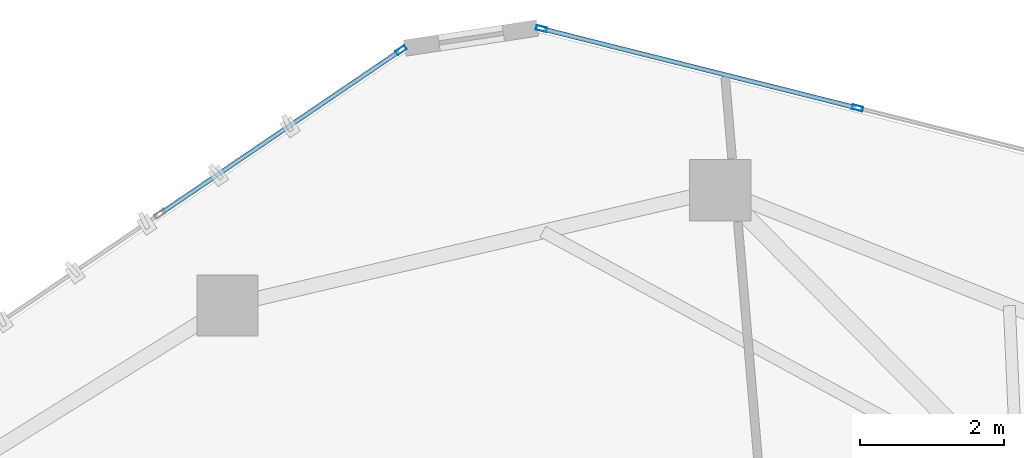
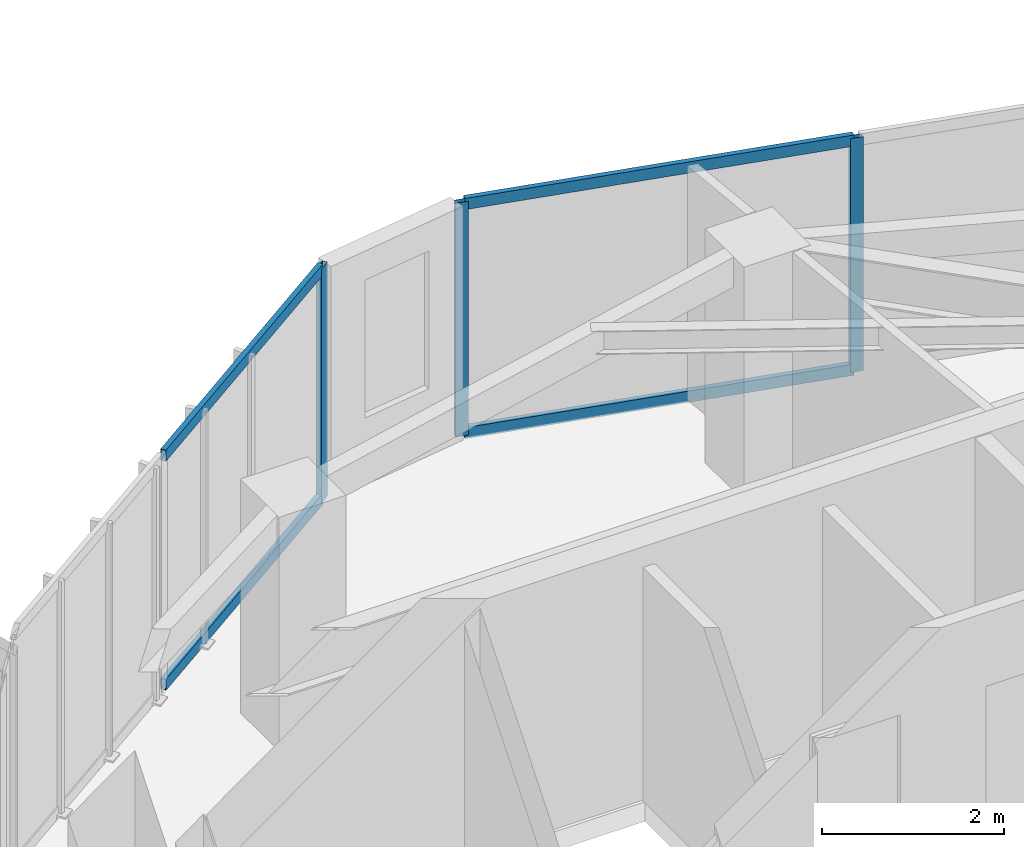
# One storey, part 15 of 20: 7 members, 2 elements without a shape of their own.
"""IFC4 building model written with IfcOpenShell, lengths in metres."""

from ifc_helpers import new_model, si_unit, direction, frame, origin, origin_2d, place, context, subcontext, project, spatial, hollow_rectangle, extrude, source, transform, mapped, material, layer, layer_set, material_profile, profile_set, type_object, type_shapes, element, aggregate, save


model = new_model("IFC4")

# Units and contexts
model_context = context("Model", 3, precision=1e-05, world=origin(), true_north=direction((0.0, 1.0)))
body_context = subcontext(model_context, "Body", "Model", "MODEL_VIEW")
ifc_project = project(units=[si_unit("LENGTHUNIT", "METRE"), si_unit("AREAUNIT", "SQUARE_METRE"), si_unit("VOLUMEUNIT", "CUBIC_METRE"), si_unit("PLANEANGLEUNIT", "RADIAN"), si_unit("MASSUNIT", "GRAM", prefix="KILO")], contexts=[model_context])

# Site, building, storey
site_placement = place(None, origin())
site = spatial("IfcSite", under=ifc_project, at=site_placement, CompositionType="ELEMENT")
building_placement = place(site_placement, origin())
building = spatial("IfcBuilding", under=site, at=building_placement, Name="Talar Marvaseh", CompositionType="ELEMENT")
storey_placement = place(building_placement, frame((0.0, 0.0, 244.199951171875)))
storey = spatial("IfcBuildingStorey", under=building, at=storey_placement, Name="L64", CompositionType="ELEMENT", Elevation=244.199951171875)

# Curtain wall, members
ifc_material = material(Name="Architectural Aluminium", Category="aluminium")
ifc_layer = layer(ifc_material, 0.179931640625)
ifc_layer_set = layer_set([ifc_layer], Name="Architectural Aluminium")
curtain_wall_type = type_object("IfcCurtainWallType", Name="Unitised High-Wind Sky Curtain Wall Z4", PredefinedType="NOTDEFINED", material=ifc_layer_set)
curtain_wall_1_placement = place(storey_placement, origin())
curtain_wall_1 = element("IfcCurtainWall", 1, at=curtain_wall_1_placement, inside=storey, type_object=curtain_wall_type, Name="L64 Unitised High-Wind Sky Curtain Wall Z4", PredefinedType="NOTDEFINED")
ifc_material_profile_1 = material_profile(ifc_material, hollow_rectangle(XDim=0.06494140625, YDim=0.14990234375, WallThickness=0.00390625, at=origin_2d()), Name="RHS150x65x4")
ifc_profile_set_1 = profile_set([ifc_material_profile_1], Name="Architectural Aluminium")
member_type_1 = type_object("IfcMemberType", Name="Unitised Curtain Wall Slim Transom RHS150x65x4", PredefinedType="USERDEFINED", material=ifc_profile_set_1)
shared_shape_1 = source(origin(), body_context, "Body", "SweptSolid", [
    extrude(hollow_rectangle(XDim=0.06494140625, YDim=0.14990234375, WallThickness=0.00390625, at=origin_2d()), origin(), (0.0, 0.0, 1.0), 4.447509765625),
])
member_1_placement = place(storey_placement, frame((26.74267578125, 43.278076171875, 0.032470703125), z_axis=(0.969883620762, -0.243568803788, 0.0), x_axis=(0.243568803788, 0.969883620762, 0.0)))
member_1 = element("IfcMember", 2, at=member_1_placement, type_object=member_type_1, Name="CW-Z4 transom 1.1", ObjectType="TRANSOM", PredefinedType="USERDEFINED", context=body_context, shape_type="MappedRepresentation", body=[
    mapped(shared_shape_1, transform((0.0, 0.0, 0.0), x_axis=(1.0, 0.0, 0.0), y_axis=(0.0, 1.0, 0.0), z_axis=(0.0, 0.0, 1.0), scale=1.0)),
])
member_2_placement = place(storey_placement, frame((26.74267578125, 43.278076171875, 3.107666015625), z_axis=(0.969883620762, -0.243568803788, 0.0), x_axis=(0.243568803788, 0.969883620762, 0.0)))
member_2 = element("IfcMember", 3, at=member_2_placement, type_object=member_type_1, Name="CW-Z4 transom 1.2", ObjectType="TRANSOM", PredefinedType="USERDEFINED", context=body_context, shape_type="MappedRepresentation", body=[
    mapped(shared_shape_1, transform((0.0, 0.0, 0.0), x_axis=(1.0, 0.0, 0.0), y_axis=(0.0, 1.0, 0.0), z_axis=(0.0, 0.0, 1.0), scale=1.0)),
])

curtain_wall_2_placement = place(storey_placement, origin())
curtain_wall_2 = element("IfcCurtainWall", 4, at=curtain_wall_2_placement, inside=storey, type_object=curtain_wall_type, Name="L64 Unitised High-Wind Sky Curtain Wall Z4", PredefinedType="NOTDEFINED")
shared_shape_2 = source(origin(), body_context, "Body", "SweptSolid", [
    extrude(hollow_rectangle(XDim=0.06494140625, YDim=0.14990234375, WallThickness=0.00390625, at=origin_2d()), origin(), (0.0, 0.0, 1.0), 3.97119140625),
])
type_shapes(member_type_1, [shared_shape_1, shared_shape_2])
member_3_placement = place(storey_placement, frame((21.456787109375, 40.739501953125, 0.032470703125), z_axis=(0.827271682121, 0.561802068313, 0.0), x_axis=(-0.561802068313, 0.827271682121, 0.0)))
member_3 = element("IfcMember", 5, at=member_3_placement, type_object=member_type_1, Name="CW-Z4 transom 3.1", ObjectType="TRANSOM", PredefinedType="USERDEFINED", context=body_context, shape_type="MappedRepresentation", body=[
    mapped(shared_shape_2, transform((0.0, 0.0, 0.0), x_axis=(1.0, 0.0, 0.0), y_axis=(0.0, 1.0, 0.0), z_axis=(0.0, 0.0, 1.0), scale=1.0)),
])
member_4_placement = place(storey_placement, frame((21.456787109375, 40.739501953125, 3.107666015625), z_axis=(0.827271682121, 0.561802068313, 0.0), x_axis=(-0.561802068313, 0.827271682121, 0.0)))
member_4 = element("IfcMember", 6, at=member_4_placement, type_object=member_type_1, Name="CW-Z4 transom 3.2", ObjectType="TRANSOM", PredefinedType="USERDEFINED", context=body_context, shape_type="MappedRepresentation", body=[
    mapped(shared_shape_2, transform((0.0, 0.0, 0.0), x_axis=(1.0, 0.0, 0.0), y_axis=(0.0, 1.0, 0.0), z_axis=(0.0, 0.0, 1.0), scale=1.0)),
])
ifc_material_profile_2 = material_profile(ifc_material, hollow_rectangle(XDim=0.06494140625, YDim=0.14990234375, WallThickness=0.00390625, at=origin_2d()), Name="RHS150x65x4")
ifc_profile_set_2 = profile_set([ifc_material_profile_2], Name="Architectural Aluminium")
member_type_2 = type_object("IfcMemberType", Name="Unitised Curtain Wall Slim Mullion RHS150x65x4", PredefinedType="MULLION", material=ifc_profile_set_2)
shared_shape_3 = source(origin(), body_context, "Body", "SweptSolid", [
    extrude(hollow_rectangle(XDim=0.06494140625, YDim=0.14990234375, WallThickness=0.00390625, at=origin_2d()), origin(), (0.0, 0.0, 1.0), 3.14013671875),
])
type_shapes(member_type_2, [shared_shape_3])
member_5_placement = place(storey_placement, frame((24.768798828125, 42.98876953125, 0.0), z_axis=(0.0, 0.0, 1.0), x_axis=(-0.561822529848, 0.827257786277, 0.0)))
member_5 = element("IfcMember", 7, at=member_5_placement, type_object=member_type_2, Name="CW-Z4 mullion 4", PredefinedType="MULLION", context=body_context, shape_type="MappedRepresentation", body=[
    mapped(shared_shape_3, transform((0.0, 0.0, 0.0), x_axis=(1.0, 0.0, 0.0), y_axis=(0.0, 1.0, 0.0), z_axis=(0.0, 0.0, 1.0), scale=1.0)),
])
aggregate(curtain_wall_2, [member_5, member_3, member_4])

# Member
member_6_placement = place(storey_placement, frame((26.711181640625, 43.285888671875, 0.0), z_axis=(0.0, 0.0, 1.0), x_axis=(0.243548482351, 0.969888723898, 0.0)))
member_6 = element("IfcMember", 8, at=member_6_placement, type_object=member_type_2, Name="CW-Z4 mullion 1", PredefinedType="MULLION", context=body_context, shape_type="MappedRepresentation", body=[
    mapped(shared_shape_3, transform((0.0, 0.0, 0.0), x_axis=(1.0, 0.0, 0.0), y_axis=(0.0, 1.0, 0.0), z_axis=(0.0, 0.0, 1.0), scale=1.0)),
])

member_7_placement = place(storey_placement, frame((31.087646484375, 42.18701171875, 0.0), z_axis=(0.0, 0.0, 1.0), x_axis=(0.243548482351, 0.969888723898, 0.0)))
member_7 = element("IfcMember", 9, at=member_7_placement, type_object=member_type_2, Name="CW-Z4 mullion 2", PredefinedType="MULLION", context=body_context, shape_type="MappedRepresentation", body=[
    mapped(shared_shape_3, transform((0.0, 0.0, 0.0), x_axis=(1.0, 0.0, 0.0), y_axis=(0.0, 1.0, 0.0), z_axis=(0.0, 0.0, 1.0), scale=1.0)),
])

aggregate(curtain_wall_1, [member_6, member_7, member_1, member_2])

save(model, "model.ifc")
